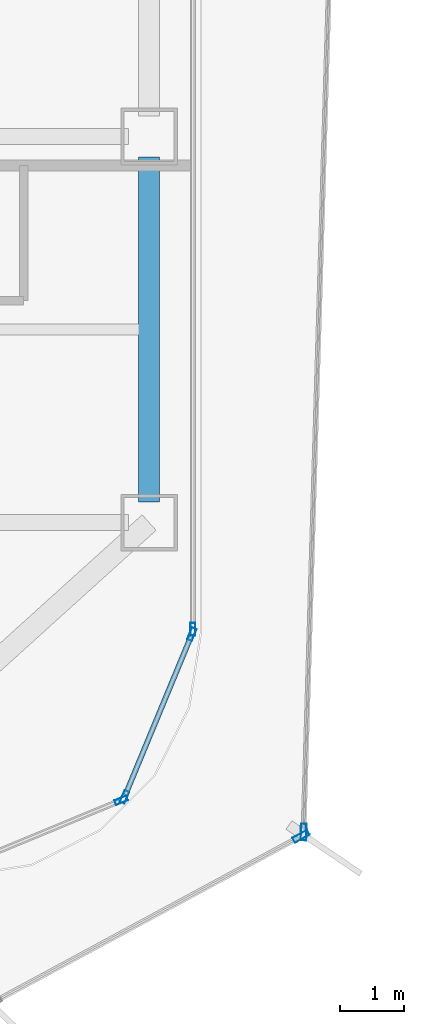
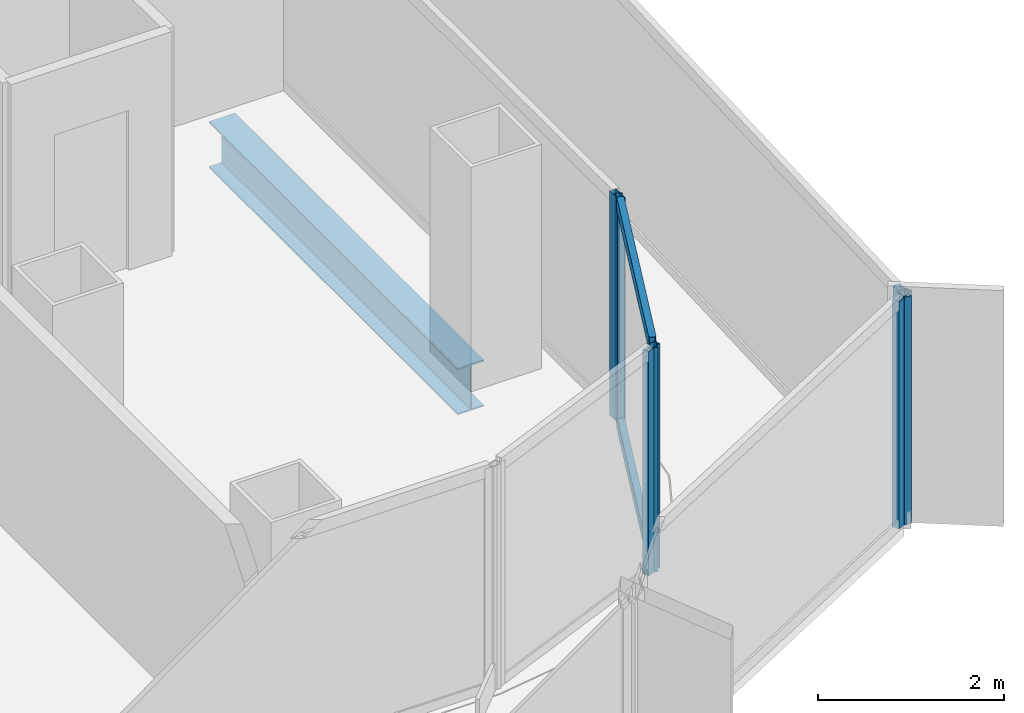
# One storey, part 8 of 21: 8 members, 1 beam, 5 elements without a shape of their own.
"""IFC4 building model written with IfcOpenShell, lengths in metres."""

from ifc_helpers import new_model, si_unit, direction, frame, origin, origin_2d, place, context, subcontext, project, spatial, hollow_rectangle, i_section, extrude, source, transform, mapped, material, layer, layer_set, material_profile, profile_set, type_object, element, aggregate, save


model = new_model("IFC4")

# Units and contexts
model_context = context("Model", 3, precision=1e-05, world=origin(), true_north=direction((0.0, 1.0)))
body_context = subcontext(model_context, "Body", "Model", "MODEL_VIEW")
ifc_project = project(units=[si_unit("LENGTHUNIT", "METRE"), si_unit("AREAUNIT", "SQUARE_METRE"), si_unit("VOLUMEUNIT", "CUBIC_METRE"), si_unit("PLANEANGLEUNIT", "RADIAN"), si_unit("MASSUNIT", "GRAM", prefix="KILO")], contexts=[model_context])

# Site, building, storey
site_placement = place(None, origin())
site = spatial("IfcSite", under=ifc_project, at=site_placement, CompositionType="ELEMENT")
building_placement = place(site_placement, origin())
building = spatial("IfcBuilding", under=site, at=building_placement, Name="Kolveth Station Tower", CompositionType="ELEMENT")
storey_placement = place(building_placement, frame((0.0, 0.0, 92.699951171875)))
storey = spatial("IfcBuildingStorey", under=building, at=storey_placement, Name="L24", CompositionType="ELEMENT", Elevation=92.699951171875)

# Beam
ifc_material_1 = material(Name="Steel S355", Category="steel")
ifc_material_profile_1 = material_profile(ifc_material_1, i_section(OverallWidth=0.323974609375, OverallDepth=0.611083984375, WebThickness=0.0126953125, FlangeThickness=0.01904296875, at=origin_2d()), Name="W610x155")
ifc_profile_set_1 = profile_set([ifc_material_profile_1], Name="Steel S355")
beam_type = type_object("IfcBeamType", Name="Beam_SP2", PredefinedType="SPANDREL", material=ifc_profile_set_1)
shared_shape_1 = source(origin(), body_context, "Body", "SweptSolid", [
    extrude(i_section(OverallWidth=0.323974609375, OverallDepth=0.611083984375, WebThickness=0.0126953125, FlangeThickness=0.01904296875, at=origin_2d()), origin(), (0.0, 0.0, 1.0), 5.35986328125),
])
beam_placement = place(storey_placement, frame((46.199951171875, 5.820068359375, -0.555419921875), z_axis=(0.0, 1.0, 0.0), x_axis=(-1.0, 0.0, 0.0)))
element("IfcBeam", 1, at=beam_placement, inside=storey, type_object=beam_type, Name="L24 Perimeter Spandrel BM-L24-PE-1", PredefinedType="SPANDREL", context=body_context, shape_type="MappedRepresentation", body=[
    mapped(shared_shape_1, transform((0.0, 0.0, 0.0), x_axis=(1.0, 0.0, 0.0), y_axis=(0.0, 1.0, 0.0), z_axis=(0.0, 0.0, 1.0), scale=1.0)),
])

# Curtain wall, member
ifc_material_2 = material(Name="Aluminium 6063-T6 and low-E dark glass", Category="aluminium")
ifc_layer_1 = layer(ifc_material_2, 0.18994140625)
ifc_layer_set_1 = layer_set([ifc_layer_1], Name="Aluminium 6063-T6 and low-E dark glass")
curtain_wall_type_1 = type_object("IfcCurtainWallType", Name="CurtainWall_CW-Z2", PredefinedType="NOTDEFINED", material=ifc_layer_set_1)
curtain_wall_1_placement = place(storey_placement, origin())
curtain_wall_1 = element("IfcCurtainWall", 2, at=curtain_wall_1_placement, inside=storey, type_object=curtain_wall_type_1, Name="L24 Inner Thermal Curtain Wall 1", PredefinedType="NOTDEFINED")
ifc_material_3 = material(Name="Black anodized aluminium 6063-T6", Category="aluminium")
ifc_material_profile_2 = material_profile(ifc_material_3, hollow_rectangle(XDim=0.080078125, YDim=0.199951171875, WallThickness=0.0048828125, at=origin_2d()), Name="ALU-80x200x5")
ifc_profile_set_2 = profile_set([ifc_material_profile_2], Name="Black anodized aluminium 6063-T6")
member_type_1 = type_object("IfcMemberType", Name="Mullion_ML2", PredefinedType="MULLION", material=ifc_profile_set_2)
shared_shape_2 = source(origin(), body_context, "Body", "SweptSolid", [
    extrude(hollow_rectangle(XDim=0.080078125, YDim=0.199951171875, WallThickness=0.0048828125, at=origin_2d()), origin(), (0.0, 0.0, 1.0), 2.949951171875),
])
member_1_placement = place(storey_placement, frame((45.76513671875, 1.182373046875, 0.0), z_axis=(0.0, 0.0, 1.0), x_axis=(-0.38266326998, 0.923887883787, 0.0)))
member_1 = element("IfcMember", 3, at=member_1_placement, type_object=member_type_1, Name="CW-Z2 mullion 2", PredefinedType="MULLION", context=body_context, shape_type="MappedRepresentation", body=[
    mapped(shared_shape_2, transform((0.0, 0.0, 0.0), x_axis=(1.0, 0.0, 0.0), y_axis=(0.0, 1.0, 0.0), z_axis=(0.0, 0.0, 1.0), scale=1.0)),
])
aggregate(curtain_wall_1, [member_1])

# Curtain wall, members
curtain_wall_2_placement = place(storey_placement, origin())
curtain_wall_2 = element("IfcCurtainWall", 4, at=curtain_wall_2_placement, inside=storey, type_object=curtain_wall_type_1, Name="L24 Inner Thermal Curtain Wall 2", PredefinedType="NOTDEFINED")
member_2_placement = place(storey_placement, frame((45.817626953125, 1.23486328125, 0.0), z_axis=(0.0, 0.0, 1.0), x_axis=(-0.923887883787, 0.38266326998, 0.0)))
member_2 = element("IfcMember", 5, at=member_2_placement, type_object=member_type_1, Name="CW-Z2 mullion 1", PredefinedType="MULLION", context=body_context, shape_type="MappedRepresentation", body=[
    mapped(shared_shape_2, transform((0.0, 0.0, 0.0), x_axis=(1.0, 0.0, 0.0), y_axis=(0.0, 1.0, 0.0), z_axis=(0.0, 0.0, 1.0), scale=1.0)),
])
member_3_placement = place(storey_placement, frame((46.86474609375, 3.762939453125, 0.0), z_axis=(0.0, 0.0, 1.0), x_axis=(-0.923887883787, 0.38266326998, 0.0)))
member_3 = element("IfcMember", 6, at=member_3_placement, type_object=member_type_1, Name="CW-Z2 mullion 2", PredefinedType="MULLION", context=body_context, shape_type="MappedRepresentation", body=[
    mapped(shared_shape_2, transform((0.0, 0.0, 0.0), x_axis=(1.0, 0.0, 0.0), y_axis=(0.0, 1.0, 0.0), z_axis=(0.0, 0.0, 1.0), scale=1.0)),
])

# Curtain wall, member
curtain_wall_3_placement = place(storey_placement, origin())
curtain_wall_3 = element("IfcCurtainWall", 7, at=curtain_wall_3_placement, inside=storey, type_object=curtain_wall_type_1, Name="L24 Inner Thermal Curtain Wall 3", PredefinedType="NOTDEFINED")
member_4_placement = place(storey_placement, frame((46.8798828125, 3.840087890625, 0.0), z_axis=(0.0, 0.0, 1.0), x_axis=(-1.0, 0.0, 0.0)))
member_4 = element("IfcMember", 8, at=member_4_placement, type_object=member_type_1, Name="CW-Z2 mullion 1", PredefinedType="MULLION", context=body_context, shape_type="MappedRepresentation", body=[
    mapped(shared_shape_2, transform((0.0, 0.0, 0.0), x_axis=(1.0, 0.0, 0.0), y_axis=(0.0, 1.0, 0.0), z_axis=(0.0, 0.0, 1.0), scale=1.0)),
])
aggregate(curtain_wall_3, [member_4])

# Member
ifc_material_profile_3 = material_profile(ifc_material_3, hollow_rectangle(XDim=0.080078125, YDim=0.169921875, WallThickness=0.0048828125, at=origin_2d()), Name="ALU-80x170x5")
ifc_profile_set_3 = profile_set([ifc_material_profile_3], Name="Black anodized aluminium 6063-T6")
member_type_2 = type_object("IfcMemberType", Name="Transom_TR2", PredefinedType="USERDEFINED", material=ifc_profile_set_3)
shared_shape_3 = source(origin(), body_context, "Body", "SweptSolid", [
    extrude(hollow_rectangle(XDim=0.080078125, YDim=0.169921875, WallThickness=0.0048828125, at=origin_2d()), origin(), (0.0, 0.0, 1.0), 2.656494140625),
])
member_5_placement = place(storey_placement, frame((45.832763671875, 1.271728515625, 0.0400390625), z_axis=(0.382676455475, 0.923882422403, 0.0), x_axis=(-0.923882422403, 0.382676455475, 0.0)))
member_5 = element("IfcMember", 9, at=member_5_placement, type_object=member_type_2, Name="CW-Z2 transom 1.1", ObjectType="TRANSOM", PredefinedType="USERDEFINED", context=body_context, shape_type="MappedRepresentation", body=[
    mapped(shared_shape_3, transform((0.0, 0.0, 0.0), x_axis=(1.0, 0.0, 0.0), y_axis=(0.0, 1.0, 0.0), z_axis=(0.0, 0.0, 1.0), scale=1.0)),
])

member_6_placement = place(storey_placement, frame((45.832763671875, 1.271728515625, 2.91015625), z_axis=(0.382676455475, 0.923882422403, 0.0), x_axis=(-0.923882422403, 0.382676455475, 0.0)))
member_6 = element("IfcMember", 10, at=member_6_placement, type_object=member_type_2, Name="CW-Z2 transom 1.2", ObjectType="TRANSOM", PredefinedType="USERDEFINED", context=body_context, shape_type="MappedRepresentation", body=[
    mapped(shared_shape_3, transform((0.0, 0.0, 0.0), x_axis=(1.0, 0.0, 0.0), y_axis=(0.0, 1.0, 0.0), z_axis=(0.0, 0.0, 1.0), scale=1.0)),
])

aggregate(curtain_wall_2, [member_2, member_3, member_5, member_6])

# Curtain wall, member
ifc_material_4 = material(Name="Black anodized aluminium 6063-T6 and dark solar glass", Category="aluminium")
ifc_layer_2 = layer(ifc_material_4, 0.159912109375)
ifc_layer_set_2 = layer_set([ifc_layer_2], Name="Black anodized aluminium 6063-T6 and dark solar glass")
curtain_wall_type_2 = type_object("IfcCurtainWallType", Name="OUTER SKIN CW-OS", PredefinedType="NOTDEFINED", material=ifc_layer_set_2)
curtain_wall_4_placement = place(storey_placement, origin())
curtain_wall_4 = element("IfcCurtainWall", 11, at=curtain_wall_4_placement, inside=storey, type_object=curtain_wall_type_2, Name="L24 Outer Ventilated Skin Curtain Wall 1", PredefinedType="NOTDEFINED")
ifc_material_profile_4 = material_profile(ifc_material_3, hollow_rectangle(XDim=0.090087890625, YDim=0.260009765625, WallThickness=0.0048828125, at=origin_2d()), Name="ALU-90x260x5")
ifc_profile_set_4 = profile_set([ifc_material_profile_4], Name="Black anodized aluminium 6063-T6")
member_type_3 = type_object("IfcMemberType", Name="FIN MULLION ML-OS", PredefinedType="MULLION", material=ifc_profile_set_4)
shared_shape_4 = source(origin(), body_context, "Body", "SweptSolid", [
    extrude(hollow_rectangle(XDim=0.090087890625, YDim=0.260009765625, WallThickness=0.0048828125, at=origin_2d()), origin(), (0.0, 0.0, 1.0), 2.989990234375),
])
member_7_placement = place(storey_placement, frame((48.561279296875, 0.623046875, 0.0), z_axis=(0.0, 0.0, 1.0), x_axis=(-0.475150316923, 0.879904640474, 0.0)))
member_7 = element("IfcMember", 12, at=member_7_placement, type_object=member_type_3, Name="CW-OS mullion 2", PredefinedType="MULLION", context=body_context, shape_type="MappedRepresentation", body=[
    mapped(shared_shape_4, transform((0.0, 0.0, 0.0), x_axis=(1.0, 0.0, 0.0), y_axis=(0.0, 1.0, 0.0), z_axis=(0.0, 0.0, 1.0), scale=1.0)),
])
aggregate(curtain_wall_4, [member_7])

curtain_wall_5_placement = place(storey_placement, origin())
curtain_wall_5 = element("IfcCurtainWall", 13, at=curtain_wall_5_placement, inside=storey, type_object=curtain_wall_type_2, Name="L24 Outer Ventilated Skin Curtain Wall 2", PredefinedType="NOTDEFINED")
member_8_placement = place(storey_placement, frame((48.602294921875, 0.689453125, 0.0), z_axis=(0.0, 0.0, 1.0), x_axis=(-0.999551789037, 0.029936950965, 0.0)))
member_8 = element("IfcMember", 14, at=member_8_placement, type_object=member_type_3, Name="CW-OS mullion 1", PredefinedType="MULLION", context=body_context, shape_type="MappedRepresentation", body=[
    mapped(shared_shape_4, transform((0.0, 0.0, 0.0), x_axis=(1.0, 0.0, 0.0), y_axis=(0.0, 1.0, 0.0), z_axis=(0.0, 0.0, 1.0), scale=1.0)),
])
aggregate(curtain_wall_5, [member_8])

save(model, "model.ifc")
